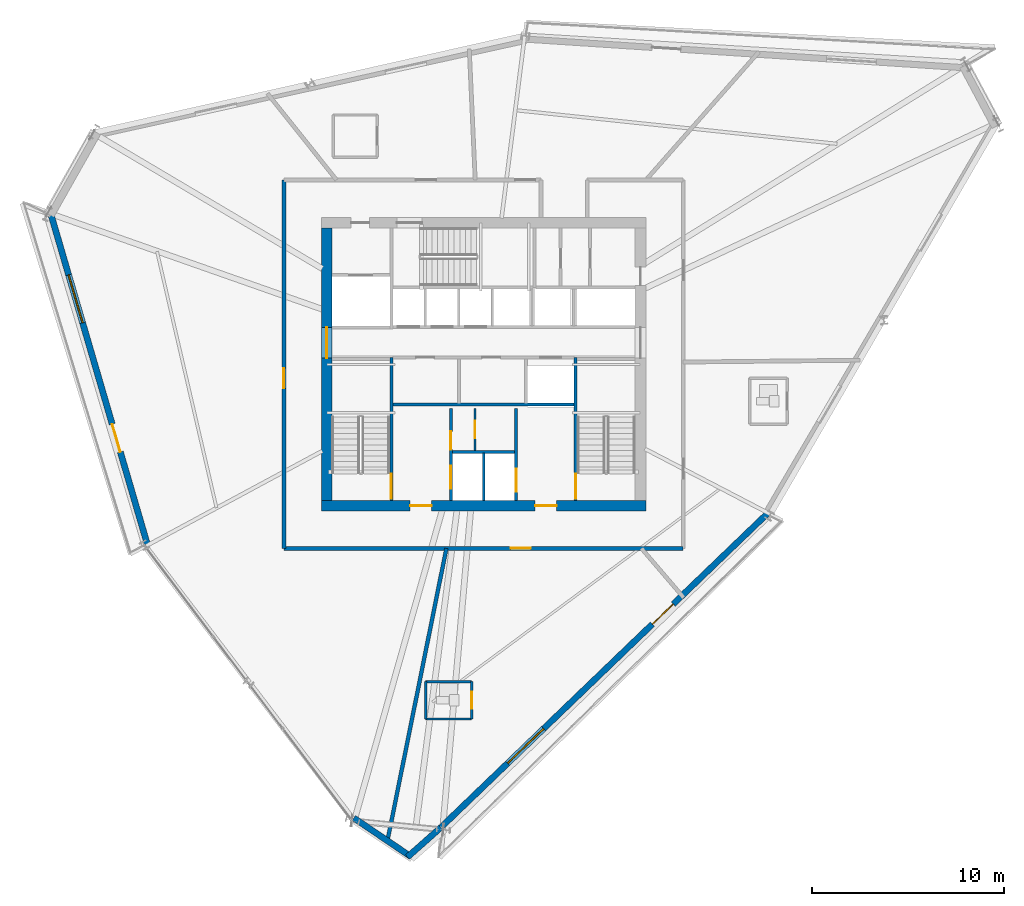
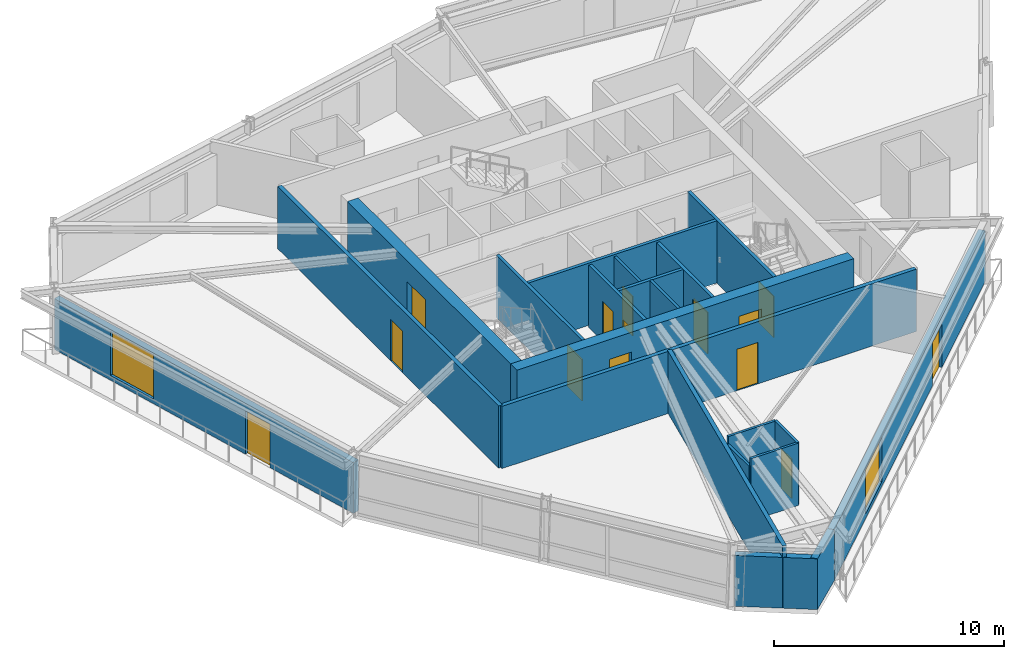
# One storey, part 8 of 15: 21 walls, 14 doors, 2 windows, 16 openings.
"""IFC4 building model written with IfcOpenShell, lengths in metres."""

from ifc_helpers import new_model, si_unit, direction, frame, frame_2d, origin, place, context, subcontext, project, spatial, rectangle, extrude, source, transform, mapped, material, layer, layer_set, type_object, type_shapes, element, fill, save


model = new_model("IFC4")

# Units and contexts
model_context = context("Model", 3, precision=1e-05, world=origin(), true_north=direction((0.0, 1.0)))
body_context = subcontext(model_context, "Body", "Model", "MODEL_VIEW")
ifc_project = project(units=[si_unit("LENGTHUNIT", "METRE"), si_unit("AREAUNIT", "SQUARE_METRE"), si_unit("VOLUMEUNIT", "CUBIC_METRE"), si_unit("PLANEANGLEUNIT", "RADIAN"), si_unit("MASSUNIT", "GRAM", prefix="KILO")], contexts=[model_context])

# Site, building, storey
site_placement = place(None, origin())
site = spatial("IfcSite", under=ifc_project, at=site_placement, CompositionType="ELEMENT")
building_placement = place(site_placement, origin())
building = spatial("IfcBuilding", under=site, at=building_placement, Name="Olszyna Solenne Hotel", CompositionType="ELEMENT")
storey_placement = place(building_placement, frame((0.0, 0.0, 150.14990234375)))
storey = spatial("IfcBuildingStorey", under=building, at=storey_placement, Name="L39", CompositionType="ELEMENT", Elevation=150.14990234375)

# Wall, openings, doors
ifc_material_1 = material(Name="Concrete C50/60", Category="concrete")
ifc_layer_1 = layer(ifc_material_1, 0.550048828125, Name="Concrete C50/60")
ifc_layer_set_1 = layer_set([ifc_layer_1], Name="Concrete C50/60")
wall_type_1 = type_object("IfcWallType", Name="WL-CR550", PredefinedType="SHEAR", material=ifc_layer_set_1)
wall_1_placement = place(storey_placement, frame((46.449951171875, 19.22509765625, 0.0), z_axis=(0.0, 0.0, 1.0), x_axis=(-1.0, 0.0, 0.0)))
wall_1 = element("IfcWall", 1, at=wall_1_placement, inside=storey, type_object=wall_type_1, Name="Core shear wall WL-CR550 CRW-L39-S", PredefinedType="SHEAR", context=body_context, shape_type="SweptSolid", body=[
    extrude(rectangle(XDim=16.89990234375, YDim=0.550048828125, at=frame_2d((8.449951171875, 0.0))), origin(), (0.0, 0.0, 1.0), 3.300048828125),
])
opening_1_placement = place(wall_1_placement, frame((4.64990234375, 0.0, 0.0)))
opening_1 = element("IfcOpeningElement", 2, at=opening_1_placement, cuts=wall_1, Name="Opening FL-L39-1", PredefinedType="OPENING", context=body_context, shape_type="SweptSolid", body=[
    extrude(rectangle(XDim=1.1201171875, YDim=2.25, at=frame_2d((0.56005859375, 1.125))), frame((0.0, 0.28515625, 0.0), z_axis=(0.0, -1.0, 0.0), x_axis=(1.0, 0.0, 0.0)), (0.0, 0.0, 1.0), 0.570068359375),
])
opening_2_placement = place(wall_1_placement, frame((11.14990234375, 0.0, 0.0)))
opening_2 = element("IfcOpeningElement", 3, at=opening_2_placement, cuts=wall_1, Name="Opening FL-L39-2", PredefinedType="OPENING", context=body_context, shape_type="SweptSolid", body=[
    extrude(rectangle(XDim=1.1201171875, YDim=2.25, at=frame_2d((0.56005859375, 1.125))), frame((0.0, 0.28515625, 0.0), z_axis=(0.0, -1.0, 0.0), x_axis=(1.0, 0.0, 0.0)), (0.0, 0.0, 1.0), 0.570068359375),
])
ifc_material_2 = material(Name="Steel S355J2", Category="steel")
door_type_1 = type_object("IfcDoorType", Name="DR-FL1", OperationType="NOTDEFINED", PredefinedType="DOOR", material=ifc_material_2)
shared_shape_1 = source(origin(), body_context, "Body", "SweptSolid", [
    extrude(rectangle(XDim=1.1201171875, YDim=2.25, at=frame_2d((0.56005859375, 1.125))), frame((0.0, 0.02490234375, 0.0), z_axis=(0.0, -1.0, 0.0), x_axis=(1.0, 0.0, 0.0)), (0.0, 0.0, 1.0), 0.050048828125),
])
type_shapes(door_type_1, [shared_shape_1])
door_1_placement = place(opening_1_placement, origin())
door_1 = element("IfcDoor", 4, at=door_1_placement, inside=storey, type_object=door_type_1, Name="Firefighting lift lobby smoke door FL-L39-1", OperationType="SINGLE_SWING_LEFT", OverallHeight=2.25, OverallWidth=1.1201171875, PredefinedType="DOOR", context=body_context, shape_type="MappedRepresentation", body=[
    mapped(shared_shape_1, transform((0.0, 0.0, 0.0), x_axis=(1.0, 0.0, 0.0), y_axis=(0.0, 1.0, 0.0), z_axis=(0.0, 0.0, 1.0), scale=1.0)),
])
fill(opening_1, door_1)
door_2_placement = place(opening_2_placement, origin())
door_2 = element("IfcDoor", 5, at=door_2_placement, inside=storey, type_object=door_type_1, Name="Firefighting lift lobby smoke door FL-L39-2", OperationType="SINGLE_SWING_RIGHT", OverallHeight=2.25, OverallWidth=1.1201171875, PredefinedType="DOOR", context=body_context, shape_type="MappedRepresentation", body=[
    mapped(shared_shape_1, transform((0.0, 0.0, 0.0), x_axis=(1.0, 0.0, 0.0), y_axis=(0.0, 1.0, 0.0), z_axis=(0.0, 0.0, 1.0), scale=1.0)),
])
fill(opening_2, door_2)

# Wall, opening, door
wall_2_placement = place(storey_placement, frame((29.824951171875, 19.5, 0.0), z_axis=(0.0, 0.0, 1.0), x_axis=(0.0, 1.0, 0.0)))
wall_2 = element("IfcWall", 6, at=wall_2_placement, inside=storey, type_object=wall_type_1, Name="Core shear wall WL-CR550 CRW-L39-W", PredefinedType="SHEAR", context=body_context, shape_type="SweptSolid", body=[
    extrude(rectangle(XDim=14.199951171875, YDim=0.550048828125, at=frame_2d((7.10009765625, 0.0))), origin(), (0.0, 0.0, 1.0), 3.300048828125),
])
opening_3_placement = place(wall_2_placement, frame((7.419921875, 0.0, 0.0)))
opening_3 = element("IfcOpeningElement", 7, at=opening_3_placement, cuts=wall_2, Name="Opening LHD-L39-W", PredefinedType="OPENING", context=body_context, shape_type="SweptSolid", body=[
    extrude(rectangle(XDim=1.60009765625, YDim=2.199951171875, at=frame_2d((0.800048828125, 1.10009765625))), frame((0.0, 0.28515625, 0.0), z_axis=(0.0, -1.0, 0.0), x_axis=(1.0, 0.0, 0.0)), (0.0, 0.0, 1.0), 0.570068359375),
])
ifc_material_3 = material(Name="Timber hardwood", Category="wood")
door_type_2 = type_object("IfcDoorType", Name="DR-CR1", OperationType="DOUBLE_DOOR_SINGLE_SWING", PredefinedType="DOOR", material=ifc_material_3)
shared_shape_2 = source(origin(), body_context, "Body", "SweptSolid", [
    extrude(rectangle(XDim=1.60009765625, YDim=2.199951171875, at=frame_2d((0.800048828125, 1.10009765625))), frame((0.0, 0.02490234375, 0.0), z_axis=(0.0, -1.0, 0.0), x_axis=(1.0, 0.0, 0.0)), (0.0, 0.0, 1.0), 0.050048828125),
])
type_shapes(door_type_2, [shared_shape_2])
door_3_placement = place(opening_3_placement, origin())
door_3 = element("IfcDoor", 8, at=door_3_placement, inside=storey, type_object=door_type_2, Name="Passenger lift lobby West fire door LHD-L39-W", OperationType="DOUBLE_DOOR_SINGLE_SWING", OverallHeight=2.199951171875, OverallWidth=1.60009765625, PredefinedType="DOOR", context=body_context, shape_type="MappedRepresentation", body=[
    mapped(shared_shape_2, transform((0.0, 0.0, 0.0), x_axis=(1.0, 0.0, 0.0), y_axis=(0.0, 1.0, 0.0), z_axis=(0.0, 0.0, 1.0), scale=1.0)),
])
fill(opening_3, door_3)

# Wall, openings, door, window
ifc_material_4 = material(Name="Precast concrete C45/55", Category="concrete")
ifc_layer_2 = layer(ifc_material_4, 0.320068359375, Name="Precast concrete C45/55")
ifc_layer_set_2 = layer_set([ifc_layer_2], Name="Precast concrete C45/55")
wall_type_2 = type_object("IfcWallType", Name="WL-EX320", PredefinedType="SOLIDWALL", material=ifc_layer_set_2)
wall_3_placement = place(storey_placement, frame((52.782470703125, 18.810791015625, 0.0), z_axis=(0.0, 0.0, 1.0), x_axis=(-0.720961083524, -0.69297555227, 0.0)))
wall_3 = element("IfcWall", 9, at=wall_3_placement, inside=storey, type_object=wall_type_2, Name="Exterior terracotta-precast frame wall WL-EX320 EW-L39-01", PredefinedType="SOLIDWALL", context=body_context, shape_type="SweptSolid", body=[
    extrude(rectangle(XDim=23.597900390625, YDim=0.320068359375, at=frame_2d((11.798828125, 0.0))), origin(), (0.0, 0.0, 1.0), 2.692138671875),
])
opening_4_placement = place(wall_3_placement, frame((6.801025390625, 0.0, 0.0)))
opening_4 = element("IfcOpeningElement", 10, at=opening_4_placement, cuts=wall_3, Name="Opening LDG-L39-3", PredefinedType="OPENING", context=body_context, shape_type="SweptSolid", body=[
    extrude(rectangle(XDim=1.5, YDim=2.300048828125, at=frame_2d((0.75, 1.14990234375))), frame((0.0, 0.169921875, 0.0), z_axis=(0.0, -1.0, 0.0), x_axis=(1.0, 0.0, 0.0)), (0.0, 0.0, 1.0), 0.340087890625),
])
opening_5_placement = place(wall_3_placement, frame((16.1630859375, 0.0, 0.25)))
opening_5 = element("IfcOpeningElement", 11, at=opening_5_placement, cuts=wall_3, Name="Opening WN-L39-234", PredefinedType="OPENING", context=body_context, shape_type="SweptSolid", body=[
    extrude(rectangle(XDim=2.60009765625, YDim=2.35009765625, at=frame_2d((1.300048828125, 1.175048828125))), frame((0.0, 0.169921875, 0.0), z_axis=(0.0, -1.0, 0.0), x_axis=(1.0, 0.0, 0.0)), (0.0, 0.0, 1.0), 0.340087890625),
])
ifc_material_5 = material(Name="Anodised bronze aluminium", Category="aluminium")
door_type_3 = type_object("IfcDoorType", Name="DR-LG2", OperationType="DOUBLE_DOOR_SINGLE_SWING", PredefinedType="DOOR", material=ifc_material_5)
shared_shape_3 = source(origin(), body_context, "Body", "SweptSolid", [
    extrude(rectangle(XDim=1.5, YDim=2.300048828125, at=frame_2d((0.75, 1.14990234375))), frame((0.0, 0.02490234375, 0.0), z_axis=(0.0, -1.0, 0.0), x_axis=(1.0, 0.0, 0.0)), (0.0, 0.0, 1.0), 0.050048828125),
])
type_shapes(door_type_3, [shared_shape_3])
door_4_placement = place(opening_4_placement, origin())
door_4 = element("IfcDoor", 12, at=door_4_placement, inside=storey, type_object=door_type_3, Name="Exterior loggia balcony door DR-LG2 LDG-L39-3", OperationType="DOUBLE_DOOR_SINGLE_SWING", OverallHeight=2.300048828125, OverallWidth=1.5, PredefinedType="DOOR", context=body_context, shape_type="MappedRepresentation", body=[
    mapped(shared_shape_3, transform((0.0, 0.0, 0.0), x_axis=(1.0, 0.0, 0.0), y_axis=(0.0, 1.0, 0.0), z_axis=(0.0, 0.0, 1.0), scale=1.0)),
])
fill(opening_4, door_4)
ifc_material_6 = material(Name="Low-E triple glazing", Category="glass")
window_type = type_object("IfcWindowType", Name="WN-ST1", PartitioningType="SINGLE_PANEL", PredefinedType="WINDOW", material=ifc_material_6)
shared_shape_4 = source(origin(), body_context, "Body", "SweptSolid", [
    extrude(rectangle(XDim=2.60009765625, YDim=2.35009765625, at=frame_2d((1.300048828125, 1.175048828125))), frame((0.0, 0.030029296875, 0.0), z_axis=(0.0, -1.0, 0.0), x_axis=(1.0, 0.0, 0.0)), (0.0, 0.0, 1.0), 0.06005859375),
])
type_shapes(window_type, [shared_shape_4])
window_1_placement = place(opening_5_placement, origin())
window_1 = element("IfcWindow", 13, at=window_1_placement, inside=storey, type_object=window_type, Name="Loggia room window WN-ST1 WN-L39-234", OverallHeight=2.35009765625, OverallWidth=2.60009765625, PartitioningType="SINGLE_PANEL", PredefinedType="WINDOW", context=body_context, shape_type="MappedRepresentation", body=[
    mapped(shared_shape_4, transform((0.0, 0.0, 0.0), x_axis=(1.0, 0.0, 0.0), y_axis=(0.0, 1.0, 0.0), z_axis=(0.0, 0.0, 1.0), scale=1.0)),
])
fill(opening_5, window_1)

# Walls
wall_4_placement = place(storey_placement, frame((35.77392578125, 2.462158203125, 0.0), z_axis=(0.0, 0.0, 1.0), x_axis=(-0.748162084796, -0.663516009509, 0.0)))
element("IfcWall", 14, at=wall_4_placement, inside=storey, type_object=wall_type_2, Name="Exterior terracotta-precast frame wall WL-EX320 EW-L39-02", PredefinedType="SOLIDWALL", context=body_context, shape_type="SweptSolid", body=[
    extrude(rectangle(XDim=2.32470703125, YDim=0.320068359375, at=frame_2d((1.162353515625, 0.0))), origin(), (0.0, 0.0, 1.0), 2.692138671875),
])
wall_5_placement = place(storey_placement, frame((34.23046875, 0.9326171875, 0.0), z_axis=(0.0, 0.0, 1.0), x_axis=(-0.8280940066, 0.560589258043, 0.0)))
element("IfcWall", 15, at=wall_5_placement, inside=storey, type_object=wall_type_2, Name="Exterior terracotta-precast frame wall WL-EX320 EW-L39-03", PredefinedType="SOLIDWALL", context=body_context, shape_type="SweptSolid", body=[
    extrude(rectangle(XDim=3.607666015625, YDim=0.320068359375, at=frame_2d((1.8037109375, 0.0))), origin(), (0.0, 0.0, 1.0), 2.692138671875),
])

# Wall, openings, door, window
wall_6_placement = place(storey_placement, frame((20.478759765625, 17.226806640625, 0.0), z_axis=(0.0, 0.0, 1.0), x_axis=(-0.280389388872, 0.959886342547, 0.0)))
wall_6 = element("IfcWall", 16, at=wall_6_placement, inside=storey, type_object=wall_type_2, Name="Exterior terracotta-precast frame wall WL-EX320 EW-L39-05", PredefinedType="SOLIDWALL", context=body_context, shape_type="SweptSolid", body=[
    extrude(rectangle(XDim=17.98388671875, YDim=0.320068359375, at=frame_2d((8.991943359375, 0.0))), origin(), (0.0, 0.0, 1.0), 2.692138671875),
])
opening_6_placement = place(wall_6_placement, frame((5.0048828125, 0.0, 0.0)))
opening_6 = element("IfcOpeningElement", 17, at=opening_6_placement, cuts=wall_6, Name="Opening LDG-L39-2", PredefinedType="OPENING", context=body_context, shape_type="SweptSolid", body=[
    extrude(rectangle(XDim=1.5, YDim=2.300048828125, at=frame_2d((0.75, 1.14990234375))), frame((0.0, 0.169921875, 0.0), z_axis=(0.0, -1.0, 0.0), x_axis=(1.0, 0.0, 0.0)), (0.0, 0.0, 1.0), 0.340087890625),
])
opening_7_placement = place(wall_6_placement, frame((12.008056640625, 0.0, 0.25)))
opening_7 = element("IfcOpeningElement", 18, at=opening_7_placement, cuts=wall_6, Name="Opening WN-L39-235", PredefinedType="OPENING", context=body_context, shape_type="SweptSolid", body=[
    extrude(rectangle(XDim=2.60009765625, YDim=2.35009765625, at=frame_2d((1.300048828125, 1.175048828125))), frame((0.0, 0.169921875, 0.0), z_axis=(0.0, -1.0, 0.0), x_axis=(1.0, 0.0, 0.0)), (0.0, 0.0, 1.0), 0.340087890625),
])
door_5_placement = place(opening_6_placement, origin())
door_5 = element("IfcDoor", 19, at=door_5_placement, inside=storey, type_object=door_type_3, Name="Exterior loggia balcony door DR-LG2 LDG-L39-2", OperationType="DOUBLE_DOOR_SINGLE_SWING", OverallHeight=2.300048828125, OverallWidth=1.5, PredefinedType="DOOR", context=body_context, shape_type="MappedRepresentation", body=[
    mapped(shared_shape_3, transform((0.0, 0.0, 0.0), x_axis=(1.0, 0.0, 0.0), y_axis=(0.0, 1.0, 0.0), z_axis=(0.0, 0.0, 1.0), scale=1.0)),
])
fill(opening_6, door_5)
window_2_placement = place(opening_7_placement, origin())
window_2 = element("IfcWindow", 20, at=window_2_placement, inside=storey, type_object=window_type, Name="Loggia room window WN-ST1 WN-L39-235", OverallHeight=2.35009765625, OverallWidth=2.60009765625, PartitioningType="SINGLE_PANEL", PredefinedType="WINDOW", context=body_context, shape_type="MappedRepresentation", body=[
    mapped(shared_shape_4, transform((0.0, 0.0, 0.0), x_axis=(1.0, 0.0, 0.0), y_axis=(0.0, 1.0, 0.0), z_axis=(0.0, 0.0, 1.0), scale=1.0)),
])
fill(opening_7, window_2)

# Wall
ifc_material_7 = material(Name="Acoustic gypsum partition", Category="gypsum")
ifc_layer_3 = layer(ifc_material_7, 0.125, Name="Acoustic gypsum partition")
ifc_layer_set_3 = layer_set([ifc_layer_3], Name="Acoustic gypsum partition")
wall_type_3 = type_object("IfcWallType", Name="WL-PT125", PredefinedType="PARTITIONING", material=ifc_layer_set_3)
wall_7_placement = place(storey_placement, frame((38.0, 19.5, 0.0), z_axis=(0.0, 0.0, 1.0), x_axis=(0.0, 1.0, 0.0)))
element("IfcWall", 21, at=wall_7_placement, inside=storey, type_object=wall_type_3, Name="Core shaft compartment wall CW-L39-FFM", PredefinedType="PARTITIONING", context=body_context, shape_type="SweptSolid", body=[
    extrude(rectangle(XDim=2.4599609375, YDim=0.125, at=frame_2d((1.22998046875, 0.0))), origin(), (0.0, 0.0, 1.0), 3.300048828125),
])

# Wall, opening, door
wall_8_placement = place(storey_placement, frame((37.553955078125, 22.10009765625, 0.0), z_axis=(0.0, 0.0, 1.0), x_axis=(0.0, 1.0, 0.0)))
wall_8 = element("IfcWall", 22, at=wall_8_placement, inside=storey, type_object=wall_type_3, Name="Core shaft compartment wall CW-L39-SC3", PredefinedType="PARTITIONING", context=body_context, shape_type="SweptSolid", body=[
    extrude(rectangle(XDim=2.179931640625, YDim=0.125, at=frame_2d((1.08984375, 0.0))), origin(), (0.0, 0.0, 1.0), 3.300048828125),
])
opening_8_placement = place(wall_8_placement, frame((0.64990234375, 0.0, 0.0)))
opening_8 = element("IfcOpeningElement", 23, at=opening_8_placement, cuts=wall_8, Name="Opening SVD-L39-SC3", PredefinedType="OPENING", context=body_context, shape_type="SweptSolid", body=[
    extrude(rectangle(XDim=0.89990234375, YDim=2.10009765625, at=frame_2d((0.449951171875, 1.050048828125))), frame((0.0, 0.072509765625, 0.0), z_axis=(0.0, -1.0, 0.0), x_axis=(1.0, 0.0, 0.0)), (0.0, 0.0, 1.0), 0.14501953125),
])
door_type_4 = type_object("IfcDoorType", Name="DR-WC1", OperationType="NOTDEFINED", PredefinedType="DOOR", material=ifc_material_3)
shared_shape_5 = source(origin(), body_context, "Body", "SweptSolid", [
    extrude(rectangle(XDim=0.89990234375, YDim=2.10009765625, at=frame_2d((0.449951171875, 1.050048828125))), frame((0.0, 0.02490234375, 0.0), z_axis=(0.0, -1.0, 0.0), x_axis=(1.0, 0.0, 0.0)), (0.0, 0.0, 1.0), 0.050048828125),
])
type_shapes(door_type_4, [shared_shape_5])
door_6_placement = place(opening_8_placement, origin())
door_6 = element("IfcDoor", 24, at=door_6_placement, inside=storey, type_object=door_type_4, Name="Trolley bay door SVD-L39-SC3", OperationType="SINGLE_SWING_LEFT", OverallHeight=2.10009765625, OverallWidth=0.89990234375, PredefinedType="DOOR", context=body_context, shape_type="MappedRepresentation", body=[
    mapped(shared_shape_5, transform((0.0, 0.0, 0.0), x_axis=(1.0, 0.0, 0.0), y_axis=(0.0, 1.0, 0.0), z_axis=(0.0, 0.0, 1.0), scale=1.0)),
])
fill(opening_8, door_6)

wall_9_placement = place(storey_placement, frame((37.3798828125, 8.113037109375, 0.0), z_axis=(0.0, 0.0, 1.0), x_axis=(0.0, 1.0, 0.0)))
wall_9 = element("IfcWall", 25, at=wall_9_placement, inside=storey, type_object=wall_type_3, Name="Interior acoustic partition WL-PT125 PW-L39-2215", PredefinedType="PARTITIONING", context=body_context, shape_type="SweptSolid", body=[
    extrude(rectangle(XDim=1.949951171875, YDim=0.125, at=frame_2d((0.97509765625, 0.0))), origin(), (0.0, 0.0, 1.0), 3.300048828125),
])
opening_9_placement = place(wall_9_placement, frame((0.52490234375, 0.0, 0.0)))
opening_9 = element("IfcOpeningElement", 26, at=opening_9_placement, cuts=wall_9, Name="Opening DR-L39-0537", PredefinedType="OPENING", context=body_context, shape_type="SweptSolid", body=[
    extrude(rectangle(XDim=0.89990234375, YDim=2.10009765625, at=frame_2d((0.449951171875, 1.050048828125))), frame((0.0, 0.072509765625, 0.0), z_axis=(0.0, -1.0, 0.0), x_axis=(1.0, 0.0, 0.0)), (0.0, 0.0, 1.0), 0.14501953125),
])
door_7_placement = place(opening_9_placement, origin())
door_7 = element("IfcDoor", 27, at=door_7_placement, inside=storey, type_object=door_type_4, Name="En-Suite Bathroom Door DR-L39-0537", OperationType="SINGLE_SWING_RIGHT", OverallHeight=2.10009765625, OverallWidth=0.89990234375, PredefinedType="DOOR", context=body_context, shape_type="MappedRepresentation", body=[
    mapped(shared_shape_5, transform((0.0, 0.0, 0.0), x_axis=(1.0, 0.0, 0.0), y_axis=(0.0, 1.0, 0.0), z_axis=(0.0, 0.0, 1.0), scale=1.0)),
])
fill(opening_9, door_7)

# Walls
wall_10_placement = place(storey_placement, frame((37.3798828125, 10.06298828125, 0.0), z_axis=(0.0, 0.0, 1.0), x_axis=(-1.0, 0.0, 0.0)))
element("IfcWall", 28, at=wall_10_placement, inside=storey, type_object=wall_type_3, Name="Interior acoustic partition WL-PT125 PW-L39-2216", PredefinedType="PARTITIONING", context=body_context, shape_type="SweptSolid", body=[
    extrude(rectangle(XDim=2.39990234375, YDim=0.125, at=frame_2d((1.199951171875, 0.0))), origin(), (0.0, 0.0, 1.0), 3.300048828125),
])
wall_11_placement = place(storey_placement, frame((34.97998046875, 10.06298828125, 0.0), z_axis=(0.0, 0.0, 1.0), x_axis=(0.0, -1.0, 0.0)))
element("IfcWall", 29, at=wall_11_placement, inside=storey, type_object=wall_type_3, Name="Interior acoustic partition WL-PT125 PW-L39-2217", PredefinedType="PARTITIONING", context=body_context, shape_type="SweptSolid", body=[
    extrude(rectangle(XDim=1.949951171875, YDim=0.125, at=frame_2d((0.97509765625, 0.0))), origin(), (0.0, 0.0, 1.0), 2.89501953125),
])
wall_12_placement = place(storey_placement, frame((34.97998046875, 8.113037109375, 0.0), z_axis=(0.0, 0.0, 1.0), x_axis=(1.0, 0.0, 0.0)))
element("IfcWall", 30, at=wall_12_placement, inside=storey, type_object=wall_type_3, Name="Interior acoustic partition WL-PT125 PW-L39-2218", PredefinedType="PARTITIONING", context=body_context, shape_type="SweptSolid", body=[
    extrude(rectangle(XDim=2.39990234375, YDim=0.125, at=frame_2d((1.199951171875, 0.0))), origin(), (0.0, 0.0, 1.0), 3.300048828125),
])

# Wall, opening, door
ifc_layer_4 = layer(ifc_material_7, 0.159912109375, Name="Acoustic gypsum partition")
ifc_layer_set_4 = layer_set([ifc_layer_4], Name="Acoustic gypsum partition")
wall_type_4 = type_object("IfcWallType", Name="WL-PT160", PredefinedType="PARTITIONING", material=ifc_layer_set_4)
wall_13_placement = place(storey_placement, frame((33.199951171875, 19.5, 0.0), z_axis=(0.0, 0.0, 1.0), x_axis=(0.0, 1.0, 0.0)))
wall_13 = element("IfcWall", 31, at=wall_13_placement, inside=storey, type_object=wall_type_4, Name="Core shaft compartment wall CW-L39-ST1E", PredefinedType="PARTITIONING", context=body_context, shape_type="SweptSolid", body=[
    extrude(rectangle(XDim=7.4599609375, YDim=0.159912109375, at=frame_2d((3.72998046875, 0.0))), origin(), (0.0, 0.0, 1.0), 3.300048828125),
])
opening_10_placement = place(wall_13_placement, frame((0.080078125, 0.0, 0.0)))
opening_10 = element("IfcOpeningElement", 32, at=opening_10_placement, cuts=wall_13, Name="Opening STD-L39-01", PredefinedType="OPENING", context=body_context, shape_type="SweptSolid", body=[
    extrude(rectangle(XDim=1.320068359375, YDim=2.199951171875, at=frame_2d((0.66015625, 1.10009765625))), frame((0.0, 0.08984375, 0.0), z_axis=(0.0, -1.0, 0.0), x_axis=(1.0, 0.0, 0.0)), (0.0, 0.0, 1.0), 0.179931640625),
])
door_type_5 = type_object("IfcDoorType", Name="DR-ST1", OperationType="NOTDEFINED", PredefinedType="DOOR", material=ifc_material_2)
shared_shape_6 = source(origin(), body_context, "Body", "SweptSolid", [
    extrude(rectangle(XDim=1.320068359375, YDim=2.199951171875, at=frame_2d((0.66015625, 1.10009765625))), frame((0.0, 0.02490234375, 0.0), z_axis=(0.0, -1.0, 0.0), x_axis=(1.0, 0.0, 0.0)), (0.0, 0.0, 1.0), 0.050048828125),
])
type_shapes(door_type_5, [shared_shape_6])
door_8_placement = place(opening_10_placement, origin())
door_8 = element("IfcDoor", 33, at=door_8_placement, inside=storey, type_object=door_type_5, Name="Pressurised exit stair ST1 fire door STD-L39-01", OperationType="SINGLE_SWING_LEFT", OverallHeight=2.199951171875, OverallWidth=1.320068359375, PredefinedType="DOOR", context=body_context, shape_type="MappedRepresentation", body=[
    mapped(shared_shape_6, transform((0.0, 0.0, 0.0), x_axis=(1.0, 0.0, 0.0), y_axis=(0.0, 1.0, 0.0), z_axis=(0.0, 0.0, 1.0), scale=1.0)),
])
fill(opening_10, door_8)

wall_14_placement = place(storey_placement, frame((42.800048828125, 26.9599609375, 0.0), z_axis=(0.0, 0.0, 1.0), x_axis=(0.0, -1.0, 0.0)))
wall_14 = element("IfcWall", 34, at=wall_14_placement, inside=storey, type_object=wall_type_4, Name="Core shaft compartment wall CW-L39-ST2W", PredefinedType="PARTITIONING", context=body_context, shape_type="SweptSolid", body=[
    extrude(rectangle(XDim=7.4599609375, YDim=0.159912109375, at=frame_2d((3.72998046875, 0.0))), origin(), (0.0, 0.0, 1.0), 3.300048828125),
])
opening_11_placement = place(wall_14_placement, frame((6.06005859375, 0.0, 0.0)))
opening_11 = element("IfcOpeningElement", 35, at=opening_11_placement, cuts=wall_14, Name="Opening STD-L39-02", PredefinedType="OPENING", context=body_context, shape_type="SweptSolid", body=[
    extrude(rectangle(XDim=1.320068359375, YDim=2.199951171875, at=frame_2d((0.66015625, 1.10009765625))), frame((0.0, 0.08984375, 0.0), z_axis=(0.0, -1.0, 0.0), x_axis=(1.0, 0.0, 0.0)), (0.0, 0.0, 1.0), 0.179931640625),
])
door_9_placement = place(opening_11_placement, origin())
door_9 = element("IfcDoor", 36, at=door_9_placement, inside=storey, type_object=door_type_5, Name="Pressurised exit stair ST2 fire door STD-L39-02", OperationType="SINGLE_SWING_RIGHT", OverallHeight=2.199951171875, OverallWidth=1.320068359375, PredefinedType="DOOR", context=body_context, shape_type="MappedRepresentation", body=[
    mapped(shared_shape_6, transform((0.0, 0.0, 0.0), x_axis=(1.0, 0.0, 0.0), y_axis=(0.0, 1.0, 0.0), z_axis=(0.0, 0.0, 1.0), scale=1.0)),
])
fill(opening_11, door_9)

# Wall, openings, doors
wall_15_placement = place(storey_placement, frame((36.300048828125, 19.5, 0.0), z_axis=(0.0, 0.0, 1.0), x_axis=(0.0, 1.0, 0.0)))
wall_15 = element("IfcWall", 37, at=wall_15_placement, inside=storey, type_object=wall_type_4, Name="Core shaft compartment wall CW-L39-FF1W", PredefinedType="PARTITIONING", context=body_context, shape_type="SweptSolid", body=[
    extrude(rectangle(XDim=4.780029296875, YDim=0.159912109375, at=frame_2d((2.39013671875, 0.0))), origin(), (0.0, 0.0, 1.0), 3.300048828125),
])
opening_12_placement = place(wall_15_placement, frame((0.60009765625, 0.0, 0.0)))
opening_12 = element("IfcOpeningElement", 38, at=opening_12_placement, cuts=wall_15, Name="Opening LD-L39-FF1", PredefinedType="OPENING", context=body_context, shape_type="SweptSolid", body=[
    extrude(rectangle(XDim=1.199951171875, YDim=2.199951171875, at=frame_2d((0.60009765625, 1.10009765625))), frame((0.0, 0.08984375, 0.0), z_axis=(0.0, -1.0, 0.0), x_axis=(1.0, 0.0, 0.0)), (0.0, 0.0, 1.0), 0.179931640625),
])
opening_13_placement = place(wall_15_placement, frame((2.64990234375, 0.0, 0.0)))
opening_13 = element("IfcOpeningElement", 39, at=opening_13_placement, cuts=wall_15, Name="Opening SVD-L39-SMK", PredefinedType="OPENING", context=body_context, shape_type="SweptSolid", body=[
    extrude(rectangle(XDim=0.949951171875, YDim=2.10009765625, at=frame_2d((0.47509765625, 1.050048828125))), frame((0.0, 0.08984375, 0.0), z_axis=(0.0, -1.0, 0.0), x_axis=(1.0, 0.0, 0.0)), (0.0, 0.0, 1.0), 0.179931640625),
])
door_type_6 = type_object("IfcDoorType", Name="DR-SV1", OperationType="NOTDEFINED", PredefinedType="DOOR", material=ifc_material_2)
shared_shape_7 = source(origin(), body_context, "Body", "SweptSolid", [
    extrude(rectangle(XDim=0.949951171875, YDim=2.10009765625, at=frame_2d((0.47509765625, 1.050048828125))), frame((0.0, 0.02490234375, 0.0), z_axis=(0.0, -1.0, 0.0), x_axis=(1.0, 0.0, 0.0)), (0.0, 0.0, 1.0), 0.050048828125),
])
type_shapes(door_type_6, [shared_shape_7])
door_10_placement = place(opening_13_placement, origin())
door_10 = element("IfcDoor", 40, at=door_10_placement, inside=storey, type_object=door_type_6, Name="Valet and core service room door SVD-L39-SMK", OperationType="SINGLE_SWING_LEFT", OverallHeight=2.10009765625, OverallWidth=0.949951171875, PredefinedType="DOOR", context=body_context, shape_type="MappedRepresentation", body=[
    mapped(shared_shape_7, transform((0.0, 0.0, 0.0), x_axis=(1.0, 0.0, 0.0), y_axis=(0.0, 1.0, 0.0), z_axis=(0.0, 0.0, 1.0), scale=1.0)),
])
fill(opening_13, door_10)
door_type_7 = type_object("IfcDoorType", Name="LD-FF1", OperationType="DOUBLE_DOOR_SLIDING", PredefinedType="DOOR", material=ifc_material_2)
shared_shape_8 = source(origin(), body_context, "Body", "SweptSolid", [
    extrude(rectangle(XDim=1.199951171875, YDim=2.199951171875, at=frame_2d((0.60009765625, 1.10009765625))), frame((0.0, 0.02490234375, 0.0), z_axis=(0.0, -1.0, 0.0), x_axis=(1.0, 0.0, 0.0)), (0.0, 0.0, 1.0), 0.050048828125),
])
type_shapes(door_type_7, [shared_shape_8])
door_11_placement = place(opening_12_placement, origin())
door_11 = element("IfcDoor", 41, at=door_11_placement, inside=storey, type_object=door_type_7, Name="Firefighters lift FF1 sliding landing door LD-L39-FF1", OperationType="DOUBLE_DOOR_SLIDING", OverallHeight=2.199951171875, OverallWidth=1.199951171875, PredefinedType="DOOR", context=body_context, shape_type="MappedRepresentation", body=[
    mapped(shared_shape_8, transform((0.0, 0.0, 0.0), x_axis=(1.0, 0.0, 0.0), y_axis=(0.0, 1.0, 0.0), z_axis=(0.0, 0.0, 1.0), scale=1.0)),
])
fill(opening_12, door_11)

# Wall, opening, door
wall_16_placement = place(storey_placement, frame((39.699951171875, 24.280029296875, 0.0), z_axis=(0.0, 0.0, 1.0), x_axis=(0.0, -1.0, 0.0)))
wall_16 = element("IfcWall", 42, at=wall_16_placement, inside=storey, type_object=wall_type_4, Name="Core shaft compartment wall CW-L39-FF2E", PredefinedType="PARTITIONING", context=body_context, shape_type="SweptSolid", body=[
    extrude(rectangle(XDim=4.780029296875, YDim=0.159912109375, at=frame_2d((2.39013671875, 0.0))), origin(), (0.0, 0.0, 1.0), 3.300048828125),
])
opening_14_placement = place(wall_16_placement, frame((3.1201171875, 0.0, 0.0)))
opening_14 = element("IfcOpeningElement", 43, at=opening_14_placement, cuts=wall_16, Name="Opening LD-L39-FF2", PredefinedType="OPENING", context=body_context, shape_type="SweptSolid", body=[
    extrude(rectangle(XDim=1.199951171875, YDim=2.199951171875, at=frame_2d((0.60009765625, 1.10009765625))), frame((0.0, 0.08984375, 0.0), z_axis=(0.0, -1.0, 0.0), x_axis=(1.0, 0.0, 0.0)), (0.0, 0.0, 1.0), 0.179931640625),
])
door_12_placement = place(opening_14_placement, origin())
door_12 = element("IfcDoor", 44, at=door_12_placement, inside=storey, type_object=door_type_7, Name="Firefighters lift FF2 sliding landing door LD-L39-FF2", OperationType="DOUBLE_DOOR_SLIDING", OverallHeight=2.199951171875, OverallWidth=1.199951171875, PredefinedType="DOOR", context=body_context, shape_type="MappedRepresentation", body=[
    mapped(shared_shape_8, transform((0.0, 0.0, 0.0), x_axis=(1.0, 0.0, 0.0), y_axis=(0.0, 1.0, 0.0), z_axis=(0.0, 0.0, 1.0), scale=1.0)),
])
fill(opening_14, door_12)

# Walls
wall_17_placement = place(storey_placement, frame((36.3798828125, 22.02001953125, 0.0), z_axis=(0.0, 0.0, 1.0), x_axis=(1.0, 0.0, 0.0)))
element("IfcWall", 45, at=wall_17_placement, inside=storey, type_object=wall_type_4, Name="Core shaft compartment wall CW-L39-FFN", PredefinedType="PARTITIONING", context=body_context, shape_type="SweptSolid", body=[
    extrude(rectangle(XDim=3.240234375, YDim=0.159912109375, at=frame_2d((1.6201171875, 0.0))), origin(), (0.0, 0.0, 1.0), 3.300048828125),
])
wall_18_placement = place(storey_placement, frame((33.280029296875, 24.489990234375, 0.0), z_axis=(0.0, 0.0, 1.0), x_axis=(1.0, 0.0, 0.0)))
element("IfcWall", 46, at=wall_18_placement, inside=storey, type_object=wall_type_4, Name="Core shaft compartment wall CW-L39-FFBN", PredefinedType="PARTITIONING", context=body_context, shape_type="SweptSolid", body=[
    extrude(rectangle(XDim=9.43994140625, YDim=0.159912109375, at=frame_2d((4.719970703125, 0.0))), origin(), (0.0, 0.0, 1.0), 3.300048828125),
])
ifc_layer_5 = layer(ifc_material_7, 0.199951171875, Name="Acoustic gypsum partition")
ifc_layer_set_5 = layer_set([ifc_layer_5], Name="Acoustic gypsum partition")
wall_type_5 = type_object("IfcWallType", Name="WL-PT200", PredefinedType="PARTITIONING", material=ifc_layer_set_5)
wall_19_placement = place(storey_placement, frame((36.064208984375, 17.0, 0.0), z_axis=(0.0, 0.0, 1.0), x_axis=(-0.197649211277, -0.980272813701, 0.0)))
element("IfcWall", 47, at=wall_19_placement, inside=storey, type_object=wall_type_5, Name="Interior acoustic partition WL-PT200 PW-L39-2210", PredefinedType="PARTITIONING", context=body_context, shape_type="SweptSolid", body=[
    extrude(rectangle(XDim=15.677490234375, YDim=0.199951171875, at=frame_2d((7.8388671875, 0.0))), origin(), (0.0, 0.0, 1.0), 3.300048828125),
])

# Wall, opening, door
wall_20_placement = place(storey_placement, frame((27.60009765625, 17.0, 0.0), z_axis=(0.0, 0.0, 1.0), x_axis=(1.0, 0.0, 0.0)))
wall_20 = element("IfcWall", 48, at=wall_20_placement, inside=storey, type_object=wall_type_5, Name="Interior acoustic partition WL-PT200 PW-L39-2227", PredefinedType="PARTITIONING", context=body_context, shape_type="SweptSolid", body=[
    extrude(rectangle(XDim=20.7998046875, YDim=0.199951171875, at=frame_2d((10.39990234375, 0.0))), origin(), (0.0, 0.0, 1.0), 3.300048828125),
])
opening_15_placement = place(wall_20_placement, frame((11.80908203125, 0.0, 0.0)))
opening_15 = element("IfcOpeningElement", 49, at=opening_15_placement, cuts=wall_20, Name="Opening DR-L39-0540", PredefinedType="OPENING", context=body_context, shape_type="SweptSolid", body=[
    extrude(rectangle(XDim=1.050048828125, YDim=2.199951171875, at=frame_2d((0.52490234375, 1.10009765625))), frame((0.0, 0.10986328125, 0.0), z_axis=(0.0, -1.0, 0.0), x_axis=(1.0, 0.0, 0.0)), (0.0, 0.0, 1.0), 0.219970703125),
])
door_type_8 = type_object("IfcDoorType", Name="DR-RM2", OperationType="NOTDEFINED", PredefinedType="DOOR", material=ifc_material_3)
shared_shape_9 = source(origin(), body_context, "Body", "SweptSolid", [
    extrude(rectangle(XDim=1.050048828125, YDim=2.199951171875, at=frame_2d((0.52490234375, 1.10009765625))), frame((0.0, 0.02490234375, 0.0), z_axis=(0.0, -1.0, 0.0), x_axis=(1.0, 0.0, 0.0)), (0.0, 0.0, 1.0), 0.050048828125),
])
type_shapes(door_type_8, [shared_shape_9])
door_13_placement = place(opening_15_placement, origin())
door_13 = element("IfcDoor", 50, at=door_13_placement, inside=storey, type_object=door_type_8, Name="Premier King Suite Entrance Door DR-L39-0540", OperationType="SINGLE_SWING_LEFT", OverallHeight=2.199951171875, OverallWidth=1.050048828125, PredefinedType="DOOR", context=body_context, shape_type="MappedRepresentation", body=[
    mapped(shared_shape_9, transform((0.0, 0.0, 0.0), x_axis=(1.0, 0.0, 0.0), y_axis=(0.0, 1.0, 0.0), z_axis=(0.0, 0.0, 1.0), scale=1.0)),
])
fill(opening_15, door_13)

wall_21_placement = place(storey_placement, frame((27.60009765625, 17.0, 0.0), z_axis=(0.0, 0.0, 1.0), x_axis=(0.0, 1.0, 0.0)))
wall_21 = element("IfcWall", 51, at=wall_21_placement, inside=storey, type_object=wall_type_5, Name="Interior acoustic partition WL-PT200 PW-L39-2228", PredefinedType="PARTITIONING", context=body_context, shape_type="SweptSolid", body=[
    extrude(rectangle(XDim=19.199951171875, YDim=0.199951171875, at=frame_2d((9.60009765625, 0.0))), origin(), (0.0, 0.0, 1.0), 3.300048828125),
])
opening_16_placement = place(wall_21_placement, frame((8.343994140625, 0.0, 0.0)))
opening_16 = element("IfcOpeningElement", 52, at=opening_16_placement, cuts=wall_21, Name="Opening DR-L39-0541", PredefinedType="OPENING", context=body_context, shape_type="SweptSolid", body=[
    extrude(rectangle(XDim=1.050048828125, YDim=2.199951171875, at=frame_2d((0.52490234375, 1.10009765625))), frame((0.0, 0.10986328125, 0.0), z_axis=(0.0, -1.0, 0.0), x_axis=(1.0, 0.0, 0.0)), (0.0, 0.0, 1.0), 0.219970703125),
])
door_14_placement = place(opening_16_placement, origin())
door_14 = element("IfcDoor", 53, at=door_14_placement, inside=storey, type_object=door_type_8, Name="Executive Club Lounge Entrance Door DR-L39-0541", OperationType="SINGLE_SWING_RIGHT", OverallHeight=2.199951171875, OverallWidth=1.050048828125, PredefinedType="DOOR", context=body_context, shape_type="MappedRepresentation", body=[
    mapped(shared_shape_9, transform((0.0, 0.0, 0.0), x_axis=(1.0, 0.0, 0.0), y_axis=(0.0, 1.0, 0.0), z_axis=(0.0, 0.0, 1.0), scale=1.0)),
])
fill(opening_16, door_14)

save(model, "model.ifc")
